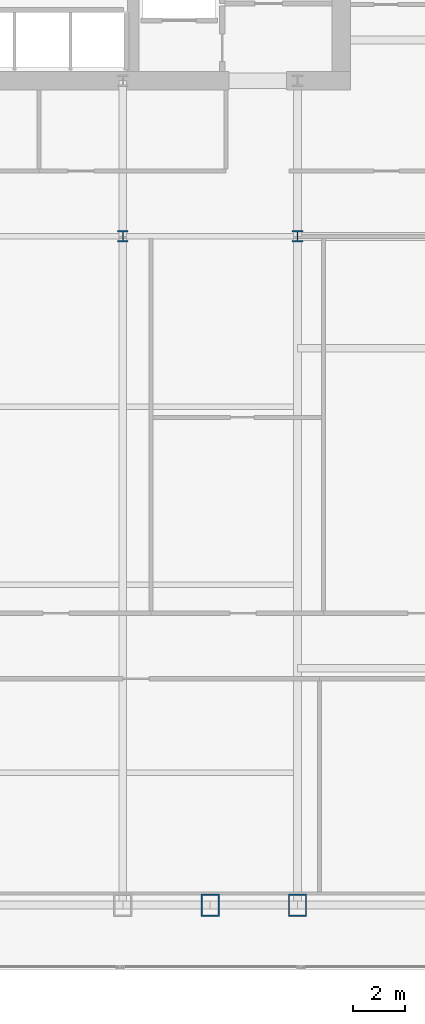
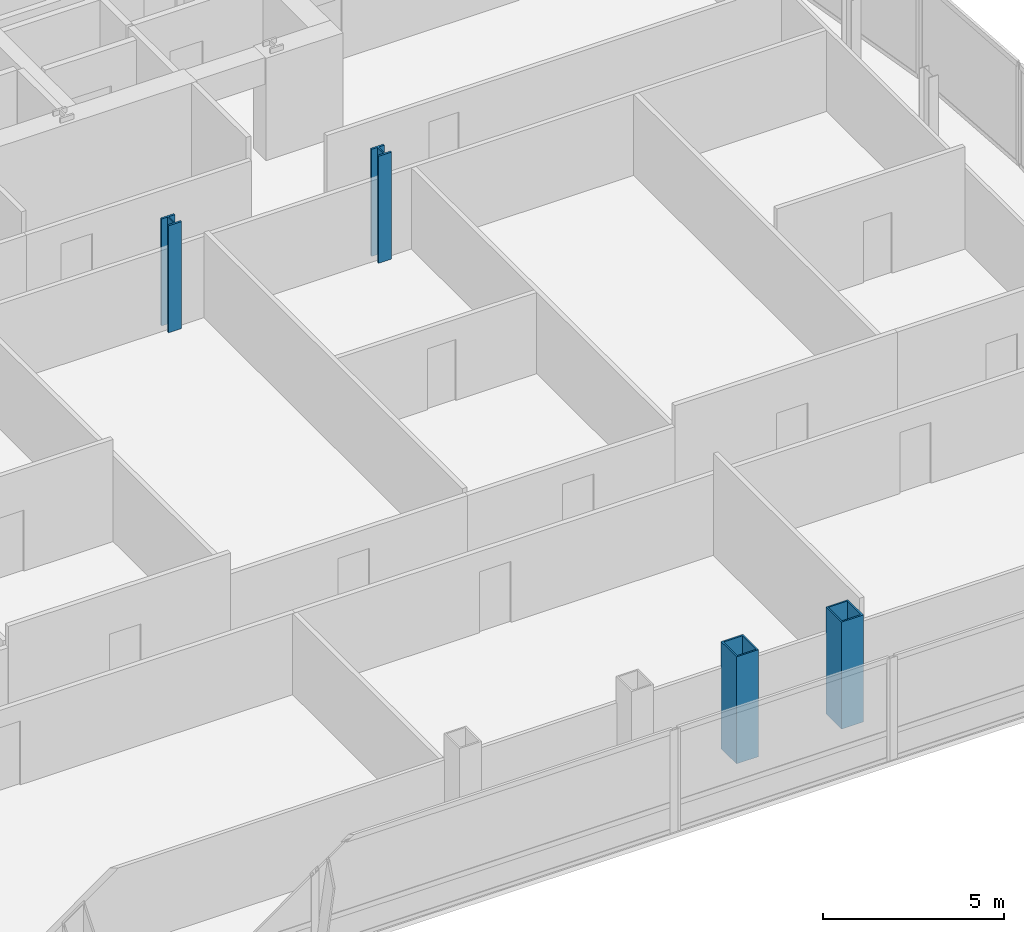
# One storey, part 2 of 32: 4 columns.
"""IFC4 building model written with IfcOpenShell, lengths in metres."""

from ifc_helpers import new_model, si_unit, direction, frame, origin, origin_2d, place, context, subcontext, project, spatial, hollow_rectangle, i_section, extrude, material, material_profile, profile_set, type_object, element, save


model = new_model("IFC4")

# Units and contexts
model_context = context("Model", 3, precision=1e-05, world=origin(), true_north=direction((0.0, 1.0)))
body_context = subcontext(model_context, "Body", "Model", "MODEL_VIEW")
ifc_project = project(units=[si_unit("LENGTHUNIT", "METRE"), si_unit("AREAUNIT", "SQUARE_METRE"), si_unit("VOLUMEUNIT", "CUBIC_METRE"), si_unit("PLANEANGLEUNIT", "RADIAN"), si_unit("MASSUNIT", "GRAM", prefix="KILO")], contexts=[model_context])

# Site, building, storey
site_placement = place(None, origin())
site = spatial("IfcSite", under=ifc_project, at=site_placement, CompositionType="ELEMENT")
building_placement = place(site_placement, origin())
building = spatial("IfcBuilding", under=site, at=building_placement, Name="Khoronbel Lancet Exchange", CompositionType="ELEMENT")
storey_placement = place(building_placement, frame((0.0, 0.0, 111.0)))
storey = spatial("IfcBuildingStorey", under=building, at=storey_placement, Name="L26", CompositionType="ELEMENT", Elevation=111.0)

# Columns
ifc_material = material(Name="Steel S460", Category="steel")
ifc_material_profile_1 = material_profile(ifc_material, hollow_rectangle(XDim=0.699951171875, YDim=0.85009765625, WallThickness=0.050048828125, at=origin_2d()), Name="BOX 850x700x50")
ifc_profile_set_1 = profile_set([ifc_material_profile_1], Name="Steel S460")
column_type_1 = type_object("IfcColumnType", Name="COL-EC2", PredefinedType="COLUMN", material=ifc_profile_set_1)
for number, where, z_axis, x_axis, name in (
    (1, (51.33740234375, 10.14990234375, 0.0), (0.0, 0.0, 1.0), (1.0, 0.0, 0.0), "Structural column SC-EM L26"),
    (2, (54.675048828125, 10.14990234375, 0.0), (0.0, 0.0, 1.0), (1.0, 0.0, 0.0), "Structural column SC-E2 L26"),
):
    element("IfcColumn", number, at=place(storey_placement, frame(where, z_axis=z_axis, x_axis=x_axis)), inside=storey, type_object=column_type_1, Name=name, PredefinedType="COLUMN", context=body_context, shape_type="SweptSolid", body=[
        extrude(hollow_rectangle(XDim=0.699951171875, YDim=0.85009765625, WallThickness=0.050048828125, at=origin_2d()), origin(), (0.0, 0.0, 1.0), 3.60009765625),
    ])
ifc_material_profile_2 = material_profile(ifc_material, i_section(OverallWidth=0.416015625, OverallDepth=0.446044921875, WebThickness=0.0390625, FlangeThickness=0.062744140625, at=origin_2d()), Name="HD 400x509")
ifc_profile_set_2 = profile_set([ifc_material_profile_2], Name="Steel S460")
column_type_2 = type_object("IfcColumnType", Name="COL-IC2", PredefinedType="COLUMN", material=ifc_profile_set_2)
for number, where, z_axis, x_axis, name in (
    (3, (48.0, 35.699951171875, 0.0), (0.0, 0.0, 1.0), (1.0, 0.0, 0.0), "Spine gravity column TC3 L26"),
    (4, (54.675048828125, 35.699951171875, 0.0), (0.0, 0.0, 1.0), (1.0, 0.0, 0.0), "Spine gravity column TC4 L26"),
):
    element("IfcColumn", number, at=place(storey_placement, frame(where, z_axis=z_axis, x_axis=x_axis)), inside=storey, type_object=column_type_2, Name=name, PredefinedType="COLUMN", context=body_context, shape_type="SweptSolid", body=[
        extrude(i_section(OverallWidth=0.416015625, OverallDepth=0.446044921875, WebThickness=0.0390625, FlangeThickness=0.062744140625, at=origin_2d()), origin(), (0.0, 0.0, 1.0), 3.60009765625),
    ])

save(model, "model.ifc")
